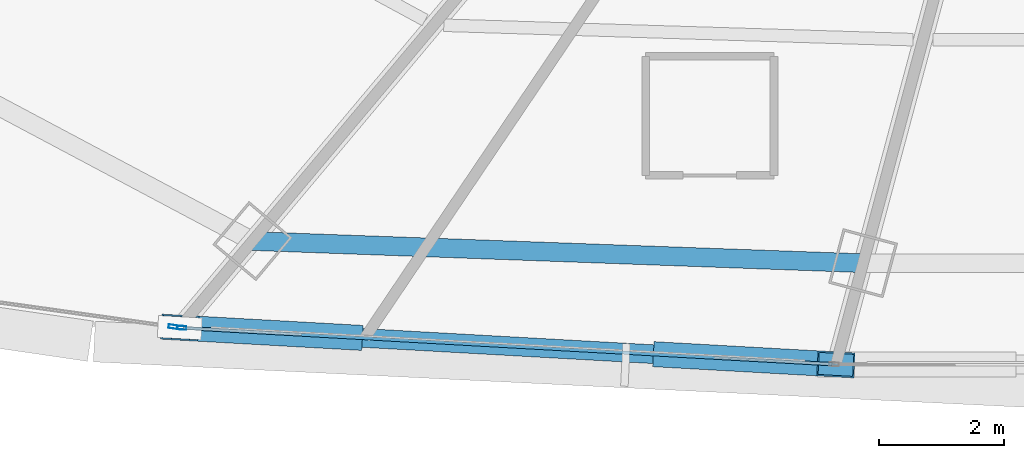
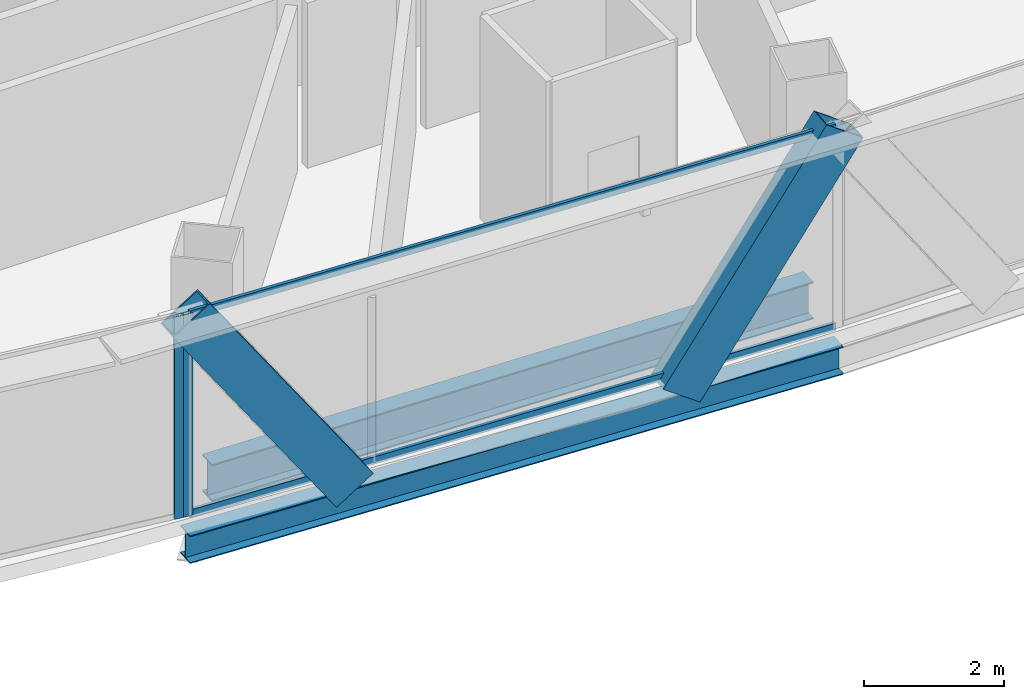
# One storey, part 6 of 38: 6 members, 2 beams, 2 elements without a shape of their own.
"""IFC4 building model written with IfcOpenShell, lengths in metres."""

from ifc_helpers import new_model, si_unit, direction, frame, origin, origin_2d, place, context, subcontext, project, spatial, hollow_rectangle, i_section, extrude, source, transform, mapped, material, layer, layer_set, material_profile, profile_set, type_object, element, aggregate, save


model = new_model("IFC4")

# Units and contexts
model_context = context("Model", 3, precision=1e-05, world=origin(), true_north=direction((0.0, 1.0)))
body_context = subcontext(model_context, "Body", "Model", "MODEL_VIEW")
ifc_project = project(units=[si_unit("LENGTHUNIT", "METRE"), si_unit("AREAUNIT", "SQUARE_METRE"), si_unit("VOLUMEUNIT", "CUBIC_METRE"), si_unit("PLANEANGLEUNIT", "RADIAN"), si_unit("MASSUNIT", "GRAM", prefix="KILO"), si_unit("THERMODYNAMICTEMPERATUREUNIT", "KELVIN"), si_unit("POWERUNIT", "WATT")], contexts=[model_context])

# Site, building, storey
site_placement = place(None, origin())
site = spatial("IfcSite", under=ifc_project, at=site_placement, CompositionType="ELEMENT")
building_placement = place(site_placement, origin())
building = spatial("IfcBuilding", under=site, at=building_placement, Name="Yunzhuo Pagoda Commons", CompositionType="ELEMENT")
storey_placement = place(building_placement, frame((0.0, 0.0, 203.760009765625)))
storey = spatial("IfcBuildingStorey", under=building, at=storey_placement, Name="L51", CompositionType="ELEMENT", Elevation=203.760009765625)

# Beams
ifc_material_1 = material(Name="Structural steel Q355B", Category="steel")
ifc_material_profile_1 = material_profile(ifc_material_1, i_section(OverallWidth=0.300048828125, OverallDepth=0.64990234375, WebThickness=0.012939453125, FlangeThickness=0.02197265625, at=origin_2d()), Name="Structural steel Q355B")
ifc_profile_set_1 = profile_set([ifc_material_profile_1], Name="Structural steel Q355B")
beam_type_1 = type_object("IfcBeamType", Name="B-RG2 Beam HN 650x300x13x22", PredefinedType="BEAM", material=ifc_profile_set_1)
shared_shape_1 = source(origin(), body_context, "Body", "SweptSolid", [
    extrude(i_section(OverallWidth=0.300048828125, OverallDepth=0.64990234375, WebThickness=0.012939453125, FlangeThickness=0.02197265625, at=origin_2d()), origin(), (0.0, 0.0, 1.0), 9.755126953125),
])
beam_1_placement = place(storey_placement, frame((33.538818359375, 16.4658203125, -0.5849609375), z_axis=(0.999343161351, -0.036238734258, 0.0), x_axis=(0.036238734258, 0.999343161351, 0.0)))
element("IfcBeam", 1, at=beam_1_placement, inside=storey, type_object=beam_type_1, Name="L51 column-ring beam 1", PredefinedType="BEAM", context=body_context, shape_type="MappedRepresentation", body=[
    mapped(shared_shape_1, transform((0.0, 0.0, 0.0), scale=1.0)),
])
ifc_material_profile_2 = material_profile(ifc_material_1, i_section(OverallWidth=0.300048828125, OverallDepth=0.488037109375, WebThickness=0.010986328125, FlangeThickness=0.01806640625, at=origin_2d()), Name="Structural steel Q355B")
ifc_profile_set_2 = profile_set([ifc_material_profile_2], Name="Structural steel Q355B")
beam_type_2 = type_object("IfcBeamType", Name="B-SP1 Beam HM 488x300x11x18", PredefinedType="BEAM", material=ifc_profile_set_2)
shared_shape_2 = source(origin(), body_context, "Body", "SweptSolid", [
    extrude(i_section(OverallWidth=0.300048828125, OverallDepth=0.488037109375, WebThickness=0.010986328125, FlangeThickness=0.01806640625, at=origin_2d()), origin(), (0.0, 0.0, 1.0), 10.49267578125),
])
beam_2_placement = place(storey_placement, frame((32.378173828125, 15.082763671875, -0.503662109375), z_axis=(0.998439593407, -0.055842441895, 0.0), x_axis=(0.055842441895, 0.998439593407, 0.0)))
element("IfcBeam", 2, at=beam_2_placement, inside=storey, type_object=beam_type_2, Name="L51 facade edge spandrel beam F1.1", PredefinedType="BEAM", context=body_context, shape_type="MappedRepresentation", body=[
    mapped(shared_shape_2, transform((0.0, 0.0, 0.0), scale=1.0)),
])

# Members
ifc_material_profile_3 = material_profile(ifc_material_1, hollow_rectangle(XDim=0.39990234375, YDim=0.719970703125, WallThickness=0.02392578125, at=origin_2d()), Name="Structural steel Q355B")
ifc_profile_set_3 = profile_set([ifc_material_profile_3], Name="Structural steel Q355B")
member_type_1 = type_object("IfcMemberType", Name="M-DL2 Brace BOX 720x400x24", PredefinedType="BRACE", material=ifc_profile_set_3)
shared_shape_3 = source(origin(), body_context, "Body", "SweptSolid", [
    extrude(hollow_rectangle(XDim=0.39990234375, YDim=0.719970703125, WallThickness=0.02392578125, at=origin_2d()), origin(), (0.0, 0.0, 1.0), 4.61767578125),
])
member_1_placement = place(storey_placement, frame((34.99755859375, 14.93603515625, -0.260009765625), z_axis=(-0.567249812106, 0.031775294722, 0.822932549673), x_axis=(-0.055928725238, -0.998434763865, 0.0)))
element("IfcMember", 3, at=member_1_placement, inside=storey, type_object=member_type_1, Name="L51 facade diamond brace F1.1L", PredefinedType="BRACE", context=body_context, shape_type="MappedRepresentation", body=[
    mapped(shared_shape_3, transform((0.0, 0.0, 0.0), scale=1.0)),
])
shared_shape_4 = source(origin(), body_context, "Body", "SweptSolid", [
    extrude(hollow_rectangle(XDim=0.39990234375, YDim=0.719970703125, WallThickness=0.02392578125, at=origin_2d()), origin(), (0.0, 0.0, 1.0), 4.617431640625),
])
member_2_placement = place(storey_placement, frame((40.2353515625, 14.6435546875, -0.260009765625), z_axis=(0.567213952118, -0.03177624769, 0.822957230119), x_axis=(0.05593392227, 0.998434472732, 0.0)))
element("IfcMember", 4, at=member_2_placement, inside=storey, type_object=member_type_1, Name="L51 facade diamond brace F1.1R", PredefinedType="BRACE", context=body_context, shape_type="MappedRepresentation", body=[
    mapped(shared_shape_4, transform((0.0, 0.0, 0.0), scale=1.0)),
])

# Curtain wall, member
ifc_material_2 = material(Name="Anodized aluminium 6063-T6", Category="aluminium")
ifc_layer = layer(ifc_material_2, 0.14990234375)
ifc_layer_set = layer_set([ifc_layer], Name="Anodized aluminium 6063-T6")
curtain_wall_type = type_object("IfcCurtainWallType", Name="CW-MID Mid-Zone Ribbon Curtain Wall", PredefinedType="NOTDEFINED", material=ifc_layer_set)
curtain_wall_1_placement = place(storey_placement, origin())
curtain_wall_1 = element("IfcCurtainWall", 5, at=curtain_wall_1_placement, inside=storey, type_object=curtain_wall_type, Name="L51 curtain wall CW-L51-F1B2", PredefinedType="NOTDEFINED")
ifc_material_profile_4 = material_profile(ifc_material_2, hollow_rectangle(XDim=0.06005859375, YDim=0.14990234375, WallThickness=0.00390625, at=origin_2d()), Name="Anodized aluminium 6063-T6")
ifc_profile_set_4 = profile_set([ifc_material_profile_4], Name="Anodized aluminium 6063-T6")
member_type_2 = type_object("IfcMemberType", Name="CW-MID-M Mullion RHS 150x60x4", PredefinedType="MULLION", material=ifc_profile_set_4)
shared_shape_5 = source(origin(), body_context, "Body", "SweptSolid", [
    extrude(hollow_rectangle(XDim=0.06005859375, YDim=0.14990234375, WallThickness=0.00390625, at=origin_2d()), origin(), (0.0, 0.0, 1.0), 3.5400390625),
])
member_3_placement = place(storey_placement, frame((32.407958984375, 15.0810546875, 0.0), z_axis=(0.0, 0.0, 1.0), x_axis=(0.055819443993, 0.998440879408, 0.0)))
member_3 = element("IfcMember", 6, at=member_3_placement, type_object=member_type_2, Name="CW mullion 1", PredefinedType="MULLION", context=body_context, shape_type="MappedRepresentation", body=[
    mapped(shared_shape_5, transform((0.0, 0.0, 0.0), scale=1.0)),
])

curtain_wall_2_placement = place(storey_placement, origin())
curtain_wall_2 = element("IfcCurtainWall", 7, at=curtain_wall_2_placement, inside=storey, type_object=curtain_wall_type, Name="L51 curtain wall CW-L51-F1B1", PredefinedType="NOTDEFINED")
member_4_placement = place(storey_placement, frame((32.274169921875, 15.09716796875, 0.0), z_axis=(0.0, 0.0, 1.0), x_axis=(0.138819494362, 0.990317700531, 0.0)))
member_4 = element("IfcMember", 8, at=member_4_placement, type_object=member_type_2, Name="CW mullion 2", PredefinedType="MULLION", context=body_context, shape_type="MappedRepresentation", body=[
    mapped(shared_shape_5, transform((0.0, 0.0, 0.0), scale=1.0)),
])
aggregate(curtain_wall_2, [member_4])

# Member
ifc_material_profile_5 = material_profile(ifc_material_2, hollow_rectangle(XDim=0.054931640625, YDim=0.1298828125, WallThickness=0.00341796875, at=origin_2d()), Name="Anodized aluminium 6063-T6")
ifc_profile_set_5 = profile_set([ifc_material_profile_5], Name="Anodized aluminium 6063-T6")
member_type_3 = type_object("IfcMemberType", Name="CW-MID-T Transom RHS 130x55x3.5", PredefinedType="USERDEFINED", material=ifc_profile_set_5)
shared_shape_6 = source(origin(), body_context, "Body", "SweptSolid", [
    extrude(hollow_rectangle(XDim=0.054931640625, YDim=0.1298828125, WallThickness=0.00341796875, at=origin_2d()), origin(), (0.0, 0.0, 1.0), 10.372802734375),
])
member_5_placement = place(storey_placement, frame((32.43798828125, 15.0791015625, 0.027587890625), z_axis=(0.998441685065, -0.055805031359, 0.0), x_axis=(0.055805031359, 0.998441685065, 0.0)))
member_5 = element("IfcMember", 9, at=member_5_placement, type_object=member_type_3, Name="CW transom 1.1", ObjectType="TRANSOM", PredefinedType="USERDEFINED", context=body_context, shape_type="MappedRepresentation", body=[
    mapped(shared_shape_6, transform((0.0, 0.0, 0.0), scale=1.0)),
])

member_6_placement = place(storey_placement, frame((32.43798828125, 15.0791015625, 3.512451171875), z_axis=(0.998441685065, -0.055805031359, 0.0), x_axis=(0.055805031359, 0.998441685065, 0.0)))
member_6 = element("IfcMember", 10, at=member_6_placement, type_object=member_type_3, Name="CW transom 1.2", ObjectType="TRANSOM", PredefinedType="USERDEFINED", context=body_context, shape_type="MappedRepresentation", body=[
    mapped(shared_shape_6, transform((0.0, 0.0, 0.0), scale=1.0)),
])

aggregate(curtain_wall_1, [member_3, member_5, member_6])

save(model, "model.ifc")
